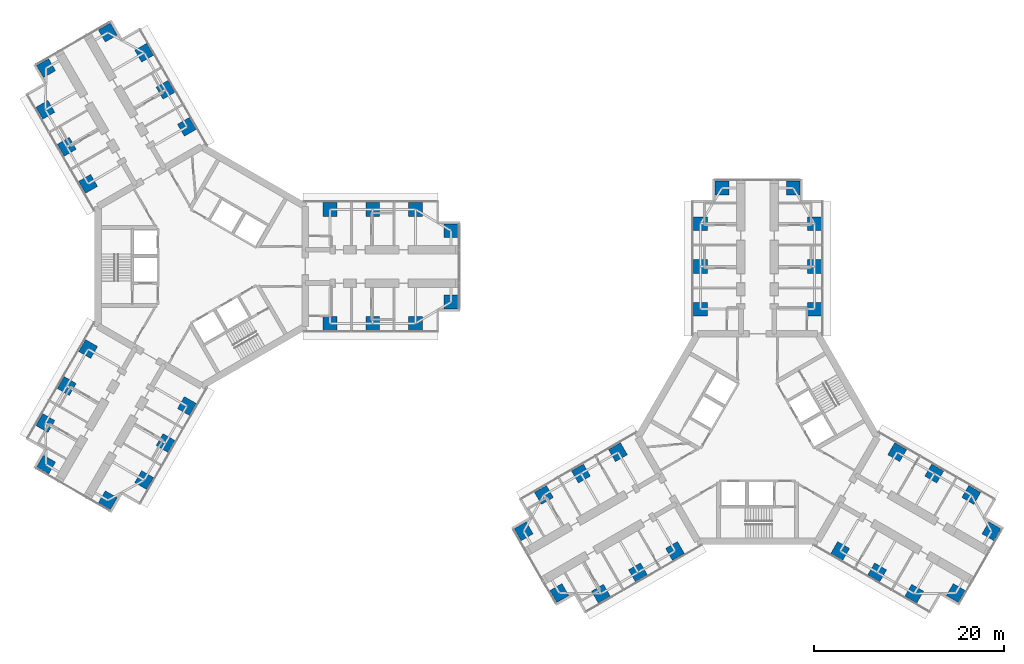
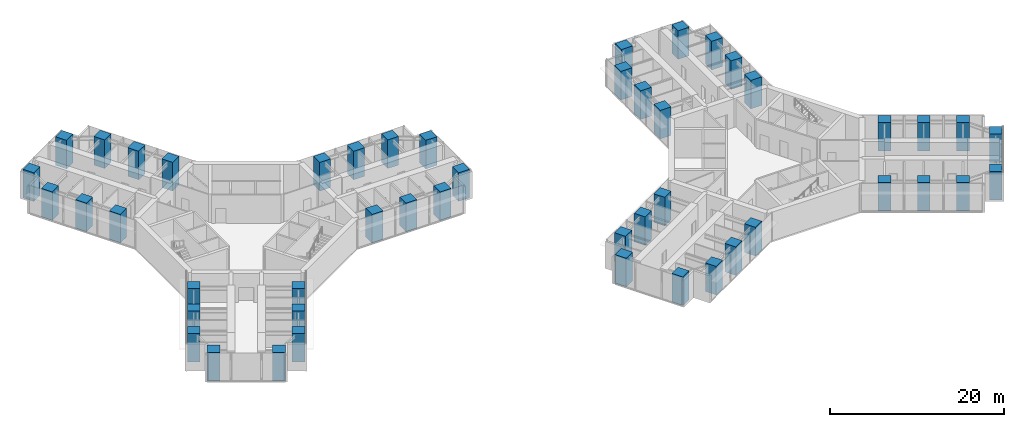
# One storey, part 1 of 24: 48 columns.
"""IFC4 building model written with IfcOpenShell, lengths in metres."""

import ifcopenshell
import ifcopenshell.guid

model = None  # the IFC model being written
_history = None  # IfcOwnerHistory: only IFC2X3 demands one
_inside = {}  # id of a spatial element -> (the spatial element, [elements in it])
_under = {}  # id of a project, library or spatial element -> (it, [spatial elements below it])
_declared = {}  # id of a project -> (the project, [libraries it declares])
_typed = {}  # id of a type object -> (the type object, [elements of that type])
_made_of = {}  # id of a material, layer set ... -> (it, [elements and type objects made of it])


def new_model(schema):
    """Start an empty IFC model of exactly this schema.

    Asked for "IFC4X3", IfcOpenShell would pick the latest addendum, in which some entities
    have other attributes; the version numbers below select the first issue.
    IFC2X3 requires an IfcOwnerHistory on every rooted entity: one is made here for all.
    """
    global model, _history
    if schema == "IFC4X3":
        model = ifcopenshell.file(schema_version=(4, 3, 0, 0))
    else:
        model = ifcopenshell.file(schema=schema)
    _inside.clear()
    _under.clear()
    _declared.clear()
    _typed.clear()
    _made_of.clear()
    _history = None
    if model.schema == "IFC2X3":
        org = make("IfcOrganization", Name="unknown")
        user = make(
            "IfcPersonAndOrganization",
            ThePerson=make("IfcPerson", FamilyName="unknown"),
            TheOrganization=org,
        )
        app = make(
            "IfcApplication",
            ApplicationDeveloper=org,
            Version="unknown",
            ApplicationFullName="unknown",
            ApplicationIdentifier="unknown",
        )
        _history = make(
            "IfcOwnerHistory",
            OwningUser=user,
            OwningApplication=app,
            ChangeAction="ADDED",
            CreationDate=0,
        )
    return model


def make(cls, **values):
    """One entity of the class cls with the attributes given. An attribute that is None is left unset."""
    return model.create_entity(
        cls, **{name: value for name, value in values.items() if value is not None}
    )


def rooted(cls, **values):
    """An entity with a GlobalId (a new one), such as an element, a storey or a relation."""
    return make(cls, GlobalId=ifcopenshell.guid.new(), OwnerHistory=_history, **values)


def si_unit(unit_type, name, prefix=None):
    """IfcSIUnit, for example si_unit("LENGTHUNIT", "METRE", prefix="MILLI")."""
    return make("IfcSIUnit", UnitType=unit_type, Prefix=prefix, Name=name)


def assignment(units):
    """IfcUnitAssignment: the units of a project."""
    return None if units is None else make("IfcUnitAssignment", Units=units)


def point(xyz):
    """IfcCartesianPoint."""
    return None if xyz is None else make("IfcCartesianPoint", Coordinates=xyz)


def direction(xyz):
    """IfcDirection."""
    return None if xyz is None else make("IfcDirection", DirectionRatios=xyz)


def frame(location, z_axis=None, x_axis=None):
    """IfcAxis2Placement3D, a coordinate frame: its origin and axes. An axis left out is left unset."""
    return make(
        "IfcAxis2Placement3D",
        Location=point(location),
        Axis=direction(z_axis),
        RefDirection=direction(x_axis),
    )


def frame_2d(location, x_axis=None):
    """IfcAxis2Placement2D, a coordinate frame in the plane: its origin and x axis."""
    return make(
        "IfcAxis2Placement2D", Location=point(location), RefDirection=direction(x_axis)
    )


def origin():
    """The frame at (0, 0, 0) with its axes left unset."""
    return frame((0.0, 0.0, 0.0))


def origin_2d():
    """The frame at (0, 0) in the plane with its x axis left unset."""
    return frame_2d((0.0, 0.0))


def place(relative_to, where):
    """IfcLocalPlacement: puts the frame where relative to a parent placement (None: the world)."""
    return make(
        "IfcLocalPlacement", PlacementRelTo=relative_to, RelativePlacement=where
    )


def context(
    kind, dimensions, precision=None, world=None, true_north=None, identifier=None
):
    """IfcGeometricRepresentationContext, for example the 3D "Model" context."""
    return make(
        "IfcGeometricRepresentationContext",
        ContextIdentifier=identifier,
        ContextType=kind,
        CoordinateSpaceDimension=dimensions,
        Precision=precision,
        WorldCoordinateSystem=world,
        TrueNorth=true_north,
    )


def subcontext(parent, identifier, kind, view, scale=None):
    """IfcGeometricRepresentationSubContext, for example "Body" below "Model"."""
    return make(
        "IfcGeometricRepresentationSubContext",
        ContextIdentifier=identifier,
        ContextType=kind,
        ParentContext=parent,
        TargetScale=scale,
        TargetView=view,
    )


def project(units=None, contexts=None):
    """IfcProject with its units and contexts."""
    return rooted(
        "IfcProject",
        Name="project",
        RepresentationContexts=contexts,
        UnitsInContext=assignment(units),
    )


def spatial(cls, under=None, at=None, **own):
    """A site, building, storey or space (cls), placed at a placement, below another one or the project."""
    s = rooted(cls, ObjectPlacement=at, **own)
    if under is not None:
        _under.setdefault(under.id(), (under, []))[1].append(s)
    return s


def profile(cls, at=None, kind="AREA", **sizes):
    """A parametric profile (cls). Its sizes go by their IFC names, for example OverallWidth=200.0."""
    return make(cls, ProfileType=kind, Position=at, **sizes)


def rectangle(**sizes):
    """IfcRectangleProfileDef."""
    return profile("IfcRectangleProfileDef", **sizes)


def extrude(swept, where, along, depth):
    """IfcExtrudedAreaSolid: the profile swept, set in the frame where, extruded along a direction by depth."""
    return make(
        "IfcExtrudedAreaSolid",
        SweptArea=swept,
        Position=where,
        ExtrudedDirection=direction(along),
        Depth=depth,
    )


def shape(context_of_items, identifier, shape_type, items):
    """IfcShapeRepresentation: the items that make up one representation, for example the "Body"."""
    return make(
        "IfcShapeRepresentation",
        ContextOfItems=context_of_items,
        RepresentationIdentifier=identifier,
        RepresentationType=shape_type,
        Items=items,
    )


def material(Name=None, Category=None):
    """IfcMaterial."""
    return make("IfcMaterial", Name=Name, Category=Category)


def material_profile(
    of_material, cross_section, Name=None, Category=None, Priority=None
):
    """IfcMaterialProfile: a cross section and its material."""
    return make(
        "IfcMaterialProfile",
        Name=Name,
        Material=of_material,
        Profile=cross_section,
        Priority=Priority,
        Category=Category,
    )


def profile_set(profiles, Name=None, composite=None):
    """IfcMaterialProfileSet."""
    return make(
        "IfcMaterialProfileSet",
        Name=Name,
        MaterialProfiles=profiles,
        CompositeProfile=composite,
    )


def made_of(thing, what):
    """Note that an element or type object is made of a material, layer set ...; save() writes the relation."""
    if what is not None:
        _made_of.setdefault(what.id(), (what, []))[1].append(thing)
    return thing


def type_object(cls, material=None, **own):
    """A type object (cls), such as IfcWallType, which elements share."""
    return made_of(rooted(cls, **own), material)


def element(
    cls,
    number,
    at=None,
    inside=None,
    cuts=None,
    type_object=None,
    material=None,
    context=None,
    identifier="Body",
    shape_type=None,
    held_by="IfcProductDefinitionShape",
    body=None,
    shapes=None,
    **own,
):
    """One element of the class cls, such as IfcWall. Its Tag is "e" and its number.

    at: its placement. inside: the storey or other place that contains it. cuts: it is an
    opening in that element (IfcRelVoidsElement). A single representation is given by context,
    identifier, shape_type and body (its items); several are given by shapes. held_by: the class
    of the entity that holds the representations. save() writes the other relations.
    """
    e = rooted(cls, Tag="e%d" % number, ObjectPlacement=at, **own)
    if body is not None:
        shapes = [shape(context, identifier, shape_type, body)]
    if shapes is not None:
        e.Representation = make(held_by, Representations=shapes)
    if inside is not None:
        _inside.setdefault(inside.id(), (inside, []))[1].append(e)
    if cuts is not None:
        rooted(
            "IfcRelVoidsElement", RelatingBuildingElement=cuts, RelatedOpeningElement=e
        )
    if type_object is not None:
        _typed.setdefault(type_object.id(), (type_object, []))[1].append(e)
    return made_of(e, material)


def aggregate(whole, parts):
    """IfcRelAggregates: a whole, such as a stair, and the parts it consists of."""
    return rooted("IfcRelAggregates", RelatingObject=whole, RelatedObjects=parts)


def save(model, path):
    """Write the relations noted so far, then the file.

    IfcRelAggregates (storeys below a building ...), IfcRelContainedInSpatialStructure (elements
    in a storey), IfcRelDefinesByType, IfcRelAssociatesMaterial and IfcRelDeclares: one each for
    every whole, place, type object, material and project.
    """
    for whole, parts in _under.values():
        aggregate(whole, parts)
    for where, things in _inside.values():
        rooted(
            "IfcRelContainedInSpatialStructure",
            RelatedElements=things,
            RelatingStructure=where,
        )
    for kind, things in _typed.values():
        rooted("IfcRelDefinesByType", RelatedObjects=things, RelatingType=kind)
    for what, things in _made_of.values():
        rooted("IfcRelAssociatesMaterial", RelatedObjects=things, RelatingMaterial=what)
    for by, libraries in _declared.values():
        rooted("IfcRelDeclares", RelatingContext=by, RelatedDefinitions=libraries)
    model.write(path)


model = new_model("IFC4")

# Units and contexts
model_context = context("Model", 3, precision=1e-05, world=origin(), true_north=direction((0.0, 1.0)))
body_context = subcontext(model_context, "Body", "Model", "MODEL_VIEW")
ifc_project = project(units=[si_unit("LENGTHUNIT", "METRE"), si_unit("AREAUNIT", "SQUARE_METRE"), si_unit("VOLUMEUNIT", "CUBIC_METRE"), si_unit("PLANEANGLEUNIT", "RADIAN"), si_unit("MASSUNIT", "GRAM", prefix="KILO")], contexts=[model_context])

# Site, building, storey
site_placement = place(None, origin())
site = spatial("IfcSite", under=ifc_project, at=site_placement, CompositionType="ELEMENT")
building_placement = place(site_placement, origin())
building = spatial("IfcBuilding", under=site, at=building_placement, Name="Upepo Twin Towers", CompositionType="ELEMENT")
storey_placement = place(building_placement, frame((0.0, 0.0, 68.5)))
storey = spatial("IfcBuildingStorey", under=building, at=storey_placement, Name="L16", CompositionType="ELEMENT", Elevation=68.5)

# Columns
ifc_material = material(Name="Concrete C60/75", Category="concrete")
ifc_material_profile = material_profile(ifc_material, rectangle(XDim=1.449951171875, YDim=1.449951171875, at=origin_2d()), Name="RC 1450x1450")
ifc_profile_set = profile_set([ifc_material_profile], Name="Concrete C60/75")
column_type = type_object("IfcColumnType", Name="Tower column RC 1450x1450", PredefinedType="COLUMN", material=ifc_profile_set)
for number, where, z_axis, x_axis, name in (
    (1, (13.5, 6.0, 0.0), (0.0, 0.0, 1.0), (1.0, 0.0, 0.0), "T1 column AL135"),
    (2, (13.5, -6.0, 0.0), (0.0, 0.0, 1.0), (1.0, 0.0, 0.0), "T1 column AR135"),
    (3, (18.0, 6.0, 0.0), (0.0, 0.0, 1.0), (1.0, 0.0, 0.0), "T1 column AL180"),
    (4, (18.0, -6.0, 0.0), (0.0, 0.0, 1.0), (1.0, 0.0, 0.0), "T1 column AR180"),
    (5, (22.5, 6.0, 0.0), (0.0, 0.0, 1.0), (1.0, 0.0, 0.0), "T1 column AL225"),
    (6, (22.5, -6.0, 0.0), (0.0, 0.0, 1.0), (1.0, 0.0, 0.0), "T1 column AR225"),
    (7, (26.25, 3.75, 0.0), (0.0, 0.0, 1.0), (1.0, 0.0, 0.0), "T1 column ALN"),
    (8, (26.25, -3.75, 0.0), (0.0, 0.0, 1.0), (1.0, 0.0, 0.0), "T1 column ARN"),
    (9, (-11.946044921875, 8.69140625, 0.0), (0.0, 0.0, 1.0), (0.866025403784, 0.5, 0.0), "T1 column BL135"),
    (10, (-1.553955078125, 14.69140625, 0.0), (0.0, 0.0, 1.0), (0.866025403784, 0.5, 0.0), "T1 column BR135"),
    (11, (-14.196044921875, 12.58837890625, 0.0), (0.0, 0.0, 1.0), (0.866025403784, 0.5, 0.0), "T1 column BL180"),
    (12, (-3.803955078125, 18.58837890625, 0.0), (0.0, 0.0, 1.0), (0.866025403784, 0.5, 0.0), "T1 column BR180"),
    (13, (-16.446044921875, 16.485595703125, 0.0), (0.0, 0.0, 1.0), (0.866025403784, 0.5, 0.0), "T1 column BL225"),
    (14, (-6.053955078125, 22.485595703125, 0.0), (0.0, 0.0, 1.0), (0.866025403784, 0.5, 0.0), "T1 column BR225"),
    (15, (-16.37255859375, 20.858154296875, 0.0), (0.0, 0.0, 1.0), (0.866025403784, 0.5, 0.0), "T1 column BLN"),
    (16, (-9.87744140625, 24.608154296875, 0.0), (0.0, 0.0, 1.0), (0.866025403784, 0.5, 0.0), "T1 column BRN"),
    (17, (-1.553955078125, -14.69140625, 0.0), (0.0, 0.0, 1.0), (0.5, 0.866025403784, 0.0), "T1 column CL135"),
    (18, (-11.946044921875, -8.69140625, 0.0), (0.0, 0.0, 1.0), (0.5, 0.866025403784, 0.0), "T1 column CR135"),
    (19, (-3.803955078125, -18.58837890625, 0.0), (0.0, 0.0, 1.0), (0.5, 0.866025403784, 0.0), "T1 column CL180"),
    (20, (-14.196044921875, -12.58837890625, 0.0), (0.0, 0.0, 1.0), (0.5, 0.866025403784, 0.0), "T1 column CR180"),
    (21, (-6.053955078125, -22.485595703125, 0.0), (0.0, 0.0, 1.0), (0.5, 0.866025403784, 0.0), "T1 column CL225"),
    (22, (-16.446044921875, -16.485595703125, 0.0), (0.0, 0.0, 1.0), (0.5, 0.866025403784, 0.0), "T1 column CR225"),
    (23, (-9.87744140625, -24.608154296875, 0.0), (0.0, 0.0, 1.0), (0.5, 0.866025403784, 0.0), "T1 column CLN"),
    (24, (-16.37255859375, -20.858154296875, 0.0), (0.0, 0.0, 1.0), (0.5, 0.866025403784, 0.0), "T1 column CRN"),
    (25, (52.5, -4.5, 0.0), (0.0, 0.0, 1.0), (1.0, 0.0, 0.0), "T2 column AL135"),
    (26, (64.5, -4.5, 0.0), (0.0, 0.0, 1.0), (1.0, 0.0, 0.0), "T2 column AR135"),
    (27, (52.5, 0.0, 0.0), (0.0, 0.0, 1.0), (1.0, 0.0, 0.0), "T2 column AL180"),
    (28, (64.5, 0.0, 0.0), (0.0, 0.0, 1.0), (1.0, 0.0, 0.0), "T2 column AR180"),
    (29, (52.5, 4.5, 0.0), (0.0, 0.0, 1.0), (1.0, 0.0, 0.0), "T2 column AL225"),
    (30, (64.5, 4.5, 0.0), (0.0, 0.0, 1.0), (1.0, 0.0, 0.0), "T2 column AR225"),
    (31, (54.75, 8.25, 0.0), (0.0, 0.0, 1.0), (1.0, 0.0, 0.0), "T2 column ALN"),
    (32, (62.25, 8.25, 0.0), (0.0, 0.0, 1.0), (1.0, 0.0, 0.0), "T2 column ARN"),
    (33, (49.80859375, -29.946044921875, 0.0), (0.0, 0.0, 1.0), (0.866025403784, 0.5, 0.0), "T2 column BL135"),
    (34, (43.80859375, -19.553955078125, 0.0), (0.0, 0.0, 1.0), (0.866025403784, 0.5, 0.0), "T2 column BR135"),
    (35, (45.91162109375, -32.196044921875, 0.0), (0.0, 0.0, 1.0), (0.866025403784, 0.5, 0.0), "T2 column BL180"),
    (36, (39.91162109375, -21.803955078125, 0.0), (0.0, 0.0, 1.0), (0.866025403784, 0.5, 0.0), "T2 column BR180"),
    (37, (42.014404296875, -34.446044921875, 0.0), (0.0, 0.0, 1.0), (0.866025403784, 0.5, 0.0), "T2 column BL225"),
    (38, (36.014404296875, -24.053955078125, 0.0), (0.0, 0.0, 1.0), (0.866025403784, 0.5, 0.0), "T2 column BR225"),
    (39, (37.641845703125, -34.37255859375, 0.0), (0.0, 0.0, 1.0), (0.866025403784, 0.5, 0.0), "T2 column BLN"),
    (40, (33.891845703125, -27.87744140625, 0.0), (0.0, 0.0, 1.0), (0.866025403784, 0.5, 0.0), "T2 column BRN"),
    (41, (73.19140625, -19.553955078125, 0.0), (0.0, 0.0, 1.0), (0.5, 0.866025403784, 0.0), "T2 column CL135"),
    (42, (67.19140625, -29.946044921875, 0.0), (0.0, 0.0, 1.0), (0.5, 0.866025403784, 0.0), "T2 column CR135"),
    (43, (77.08837890625, -21.803955078125, 0.0), (0.0, 0.0, 1.0), (0.5, 0.866025403784, 0.0), "T2 column CL180"),
    (44, (71.08837890625, -32.196044921875, 0.0), (0.0, 0.0, 1.0), (0.5, 0.866025403784, 0.0), "T2 column CR180"),
    (45, (80.985595703125, -24.053955078125, 0.0), (0.0, 0.0, 1.0), (0.5, 0.866025403784, 0.0), "T2 column CL225"),
    (46, (74.985595703125, -34.446044921875, 0.0), (0.0, 0.0, 1.0), (0.5, 0.866025403784, 0.0), "T2 column CR225"),
    (47, (83.108154296875, -27.87744140625, 0.0), (0.0, 0.0, 1.0), (0.5, 0.866025403784, 0.0), "T2 column CLN"),
    (48, (79.358154296875, -34.37255859375, 0.0), (0.0, 0.0, 1.0), (0.5, 0.866025403784, 0.0), "T2 column CRN"),
):
    element("IfcColumn", number, at=place(storey_placement, frame(where, z_axis=z_axis, x_axis=x_axis)), inside=storey, type_object=column_type, Name=name, PredefinedType="COLUMN", context=body_context, shape_type="SweptSolid", body=[
        extrude(rectangle(XDim=1.449951171875, YDim=1.449951171875, at=origin_2d()), origin(), (0.0, 0.0, 1.0), 4.0),
    ])

save(model, "model.ifc")
